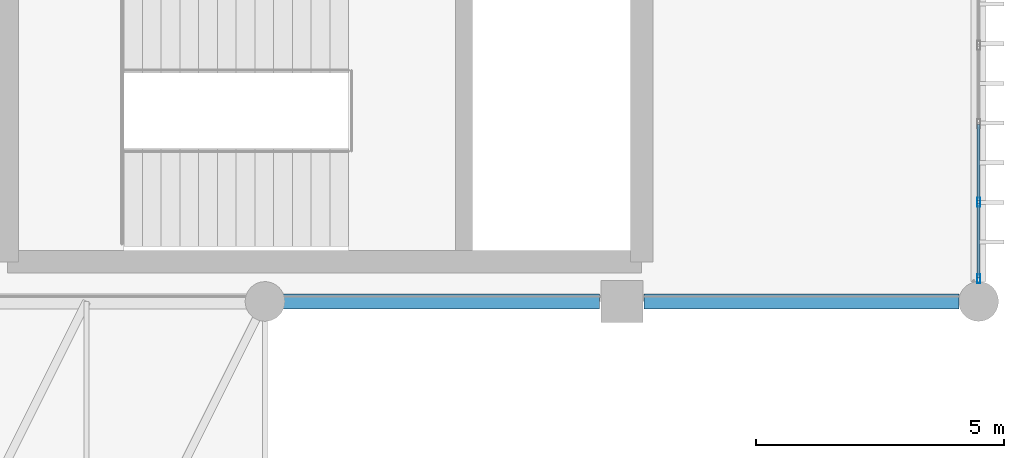
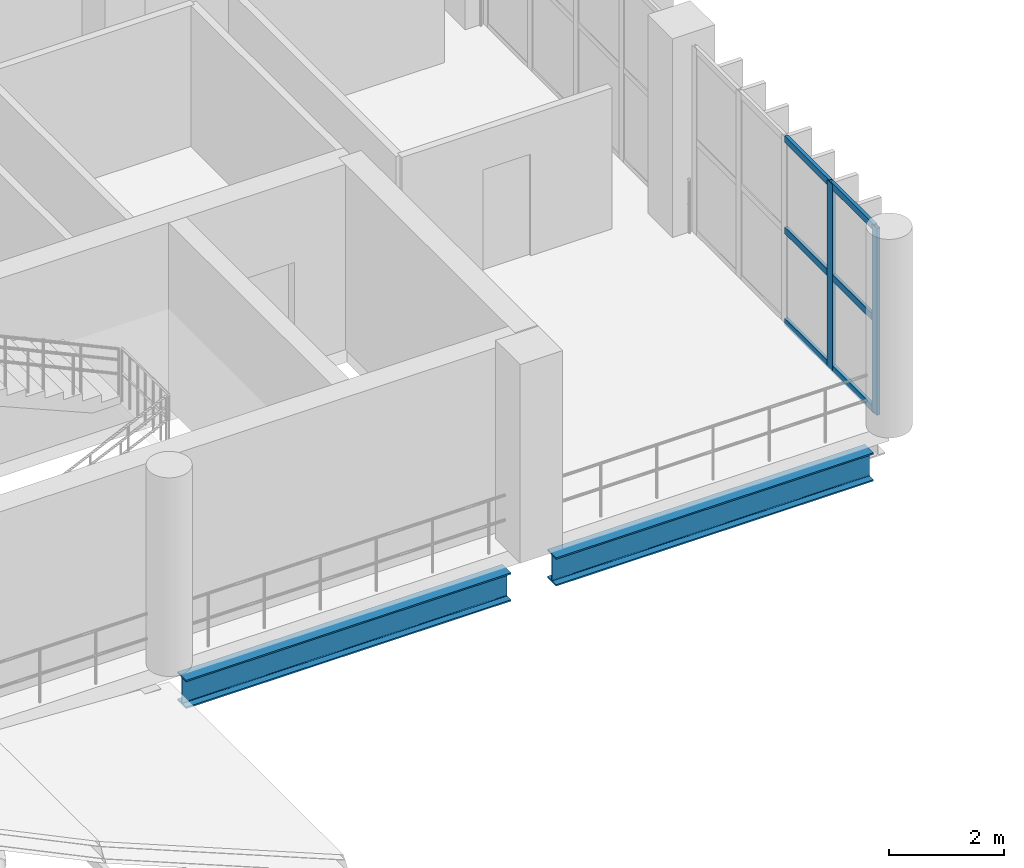
# One storey, part 74 of 153: 8 members, 2 beams, 1 element without a shape of its own.
"""IFC4 building model written with IfcOpenShell, lengths in metres."""

from ifc_helpers import new_model, si_unit, direction, frame, origin, origin_2d, place, context, subcontext, project, spatial, hollow_rectangle, i_section, extrude, material, material_profile, profile_set, type_object, element, aggregate, save


model = new_model("IFC4")

# Units and contexts
model_context = context("Model", 3, precision=1e-05, world=origin(), true_north=direction((0.0, 1.0)))
body_context = subcontext(model_context, "Body", "Model", "MODEL_VIEW")
ifc_project = project(units=[si_unit("LENGTHUNIT", "METRE"), si_unit("AREAUNIT", "SQUARE_METRE"), si_unit("VOLUMEUNIT", "CUBIC_METRE"), si_unit("PLANEANGLEUNIT", "RADIAN"), si_unit("MASSUNIT", "GRAM", prefix="KILO")], contexts=[model_context])

# Site, building, storey
site_placement = place(None, origin())
site = spatial("IfcSite", under=ifc_project, at=site_placement, CompositionType="ELEMENT")
building_placement = place(site_placement, origin())
building = spatial("IfcBuilding", under=site, at=building_placement, Name="Qandorah Velis Arena", CompositionType="ELEMENT")
storey_placement = place(building_placement, frame((0.0, 0.0, 5.39990234375)))
storey = spatial("IfcBuildingStorey", under=building, at=storey_placement, Name="L01", CompositionType="ELEMENT", Elevation=5.39990234375)

# Curtain wall, members
ifc_material_1 = material(Name="Solar-control low-E double glazing", Category="glass")
curtain_wall_type = type_object("IfcCurtainWallType", Name="ARC-CW-SYS18", PredefinedType="USERDEFINED", material=ifc_material_1)
curtain_wall_placement = place(storey_placement, origin())
curtain_wall = element("IfcCurtainWall", 1, at=curtain_wall_placement, inside=storey, type_object=curtain_wall_type, Name="Unitised curtain wall L01-138", ObjectType="UNITISED CURTAIN WALL", PredefinedType="USERDEFINED")
ifc_material_2 = material(Name="Champagne-bronze anodized aluminium 6063-T6", Category="aluminium")
ifc_material_profile_1 = material_profile(ifc_material_2, hollow_rectangle(XDim=0.06494140625, YDim=0.179931640625, WallThickness=0.00341796875, at=origin_2d()), Name="ALU MULLION 65x180")
ifc_profile_set_1 = profile_set([ifc_material_profile_1], Name="Champagne-bronze anodized aluminium 6063-T6")
member_type_1 = type_object("IfcMemberType", Name="ARC-CWM-180", PredefinedType="MULLION", material=ifc_profile_set_1)
member_1_placement = place(storey_placement, frame((172.800048828125, 43.657470703125, -0.014892578125), z_axis=(0.0, 0.0, 1.0), x_axis=(-1.0, 0.0, 0.0)))
member_1 = element("IfcMember", 2, at=member_1_placement, type_object=member_type_1, Name="CW18 mullion 1", PredefinedType="MULLION", context=body_context, shape_type="SweptSolid", body=[
    extrude(hollow_rectangle(XDim=0.06494140625, YDim=0.179931640625, WallThickness=0.00341796875, at=origin_2d()), origin(), (0.0, 0.0, 1.0), 3.949951171875),
])
member_2_placement = place(storey_placement, frame((172.800048828125, 45.206298828125, -0.014892578125), z_axis=(0.0, 0.0, 1.0), x_axis=(-1.0, 0.0, 0.0)))
member_2 = element("IfcMember", 3, at=member_2_placement, type_object=member_type_1, Name="CW18 mullion 2", PredefinedType="MULLION", context=body_context, shape_type="SweptSolid", body=[
    extrude(hollow_rectangle(XDim=0.06494140625, YDim=0.179931640625, WallThickness=0.00341796875, at=origin_2d()), origin(), (0.0, 0.0, 1.0), 3.949951171875),
])
ifc_material_profile_2 = material_profile(ifc_material_2, hollow_rectangle(XDim=0.06494140625, YDim=0.139892578125, WallThickness=0.0029296875, at=origin_2d()), Name="ALU TRANSOM 65x140")
ifc_profile_set_2 = profile_set([ifc_material_profile_2], Name="Champagne-bronze anodized aluminium 6063-T6")
member_type_2 = type_object("IfcMemberType", Name="ARC-CWT-140", PredefinedType="USERDEFINED", material=ifc_profile_set_2)
member_3_placement = place(storey_placement, frame((172.800048828125, 43.677978515625, 0.03271484375), z_axis=(0.0, 1.0, 0.0), x_axis=(-1.0, 0.0, 0.0)))
member_3 = element("IfcMember", 4, at=member_3_placement, type_object=member_type_2, Name="CW18 transom 1.1", ObjectType="TRANSOM", PredefinedType="USERDEFINED", context=body_context, shape_type="SweptSolid", body=[
    extrude(hollow_rectangle(XDim=0.06494140625, YDim=0.139892578125, WallThickness=0.0029296875, at=origin_2d()), origin(), (0.0, 0.0, 1.0), 1.5078125),
])
member_4_placement = place(storey_placement, frame((172.800048828125, 43.677978515625, 1.960205078125), z_axis=(0.0, 1.0, 0.0), x_axis=(-1.0, 0.0, 0.0)))
member_4 = element("IfcMember", 5, at=member_4_placement, type_object=member_type_2, Name="CW18 transom 1.2", ObjectType="TRANSOM", PredefinedType="USERDEFINED", context=body_context, shape_type="SweptSolid", body=[
    extrude(hollow_rectangle(XDim=0.06494140625, YDim=0.139892578125, WallThickness=0.0029296875, at=origin_2d()), origin(), (0.0, 0.0, 1.0), 1.5078125),
])
member_5_placement = place(storey_placement, frame((172.800048828125, 43.677978515625, 3.8876953125), z_axis=(0.0, 1.0, 0.0), x_axis=(-1.0, 0.0, 0.0)))
member_5 = element("IfcMember", 6, at=member_5_placement, type_object=member_type_2, Name="CW18 transom 1.3", ObjectType="TRANSOM", PredefinedType="USERDEFINED", context=body_context, shape_type="SweptSolid", body=[
    extrude(hollow_rectangle(XDim=0.06494140625, YDim=0.139892578125, WallThickness=0.0029296875, at=origin_2d()), origin(), (0.0, 0.0, 1.0), 1.5078125),
])
member_6_placement = place(storey_placement, frame((172.800048828125, 45.226806640625, 0.03271484375), z_axis=(0.0, 1.0, 0.0), x_axis=(-1.0, 0.0, 0.0)))
member_6 = element("IfcMember", 7, at=member_6_placement, type_object=member_type_2, Name="CW18 transom 2.1", ObjectType="TRANSOM", PredefinedType="USERDEFINED", context=body_context, shape_type="SweptSolid", body=[
    extrude(hollow_rectangle(XDim=0.06494140625, YDim=0.139892578125, WallThickness=0.0029296875, at=origin_2d()), origin(), (0.0, 0.0, 1.0), 1.540283203125),
])
member_7_placement = place(storey_placement, frame((172.800048828125, 45.226806640625, 1.960205078125), z_axis=(0.0, 1.0, 0.0), x_axis=(-1.0, 0.0, 0.0)))
member_7 = element("IfcMember", 8, at=member_7_placement, type_object=member_type_2, Name="CW18 transom 2.2", ObjectType="TRANSOM", PredefinedType="USERDEFINED", context=body_context, shape_type="SweptSolid", body=[
    extrude(hollow_rectangle(XDim=0.06494140625, YDim=0.139892578125, WallThickness=0.0029296875, at=origin_2d()), origin(), (0.0, 0.0, 1.0), 1.540283203125),
])
member_8_placement = place(storey_placement, frame((172.800048828125, 45.226806640625, 3.8876953125), z_axis=(0.0, 1.0, 0.0), x_axis=(-1.0, 0.0, 0.0)))
member_8 = element("IfcMember", 9, at=member_8_placement, type_object=member_type_2, Name="CW18 transom 2.3", ObjectType="TRANSOM", PredefinedType="USERDEFINED", context=body_context, shape_type="SweptSolid", body=[
    extrude(hollow_rectangle(XDim=0.06494140625, YDim=0.139892578125, WallThickness=0.0029296875, at=origin_2d()), origin(), (0.0, 0.0, 1.0), 1.540283203125),
])
aggregate(curtain_wall, [member_1, member_2, member_3, member_4, member_5, member_6, member_7, member_8])

# Beams
ifc_material_3 = material(Name="Steel S355", Category="steel")
ifc_material_profile_3 = material_profile(ifc_material_3, i_section(OverallWidth=0.300048828125, OverallDepth=0.60009765625, WebThickness=0.015380859375, FlangeThickness=0.030029296875, FilletRadius=0.027099609375, at=origin_2d()), Name="HEB 600")
ifc_profile_set_3 = profile_set([ifc_material_profile_3], Name="Steel S355")
beam_type = type_object("IfcBeamType", Name="STR-BM-HEB600", PredefinedType="BEAM", material=ifc_profile_set_3)
beam_1_placement = place(storey_placement, frame((158.64990234375, 43.199951171875, -0.659912109375), z_axis=(1.0, 0.0, 0.0), x_axis=(0.0, 1.0, 0.0)))
element("IfcBeam", 10, at=beam_1_placement, inside=storey, type_object=beam_type, Name="Primary floor girder L01 X-086", PredefinedType="BEAM", context=body_context, shape_type="SweptSolid", body=[
    extrude(i_section(OverallWidth=0.300048828125, OverallDepth=0.60009765625, WebThickness=0.015380859375, FlangeThickness=0.030029296875, FilletRadius=0.027099609375, at=origin_2d()), origin(), (0.0, 0.0, 1.0), 6.5),
])
beam_2_placement = place(storey_placement, frame((166.050048828125, 43.199951171875, -0.659912109375), z_axis=(1.0, 0.0, 0.0), x_axis=(0.0, 1.0, 0.0)))
element("IfcBeam", 11, at=beam_2_placement, inside=storey, type_object=beam_type, Name="Primary floor girder L01 X-087", PredefinedType="BEAM", context=body_context, shape_type="SweptSolid", body=[
    extrude(i_section(OverallWidth=0.300048828125, OverallDepth=0.60009765625, WebThickness=0.015380859375, FlangeThickness=0.030029296875, FilletRadius=0.027099609375, at=origin_2d()), origin(), (0.0, 0.0, 1.0), 6.349853515625),
])

save(model, "model.ifc")
